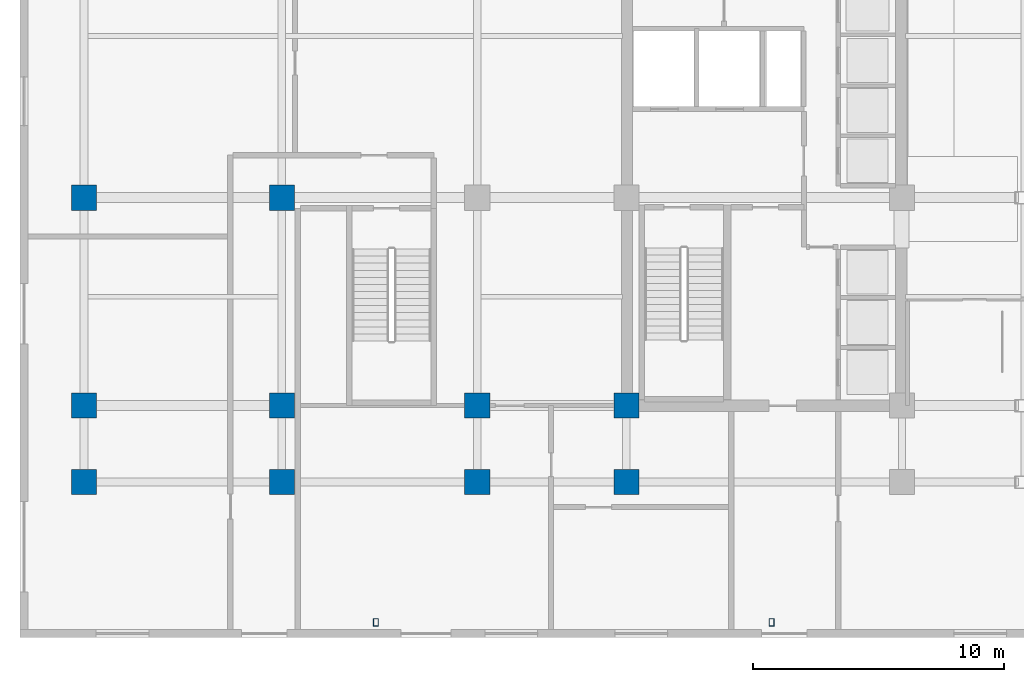
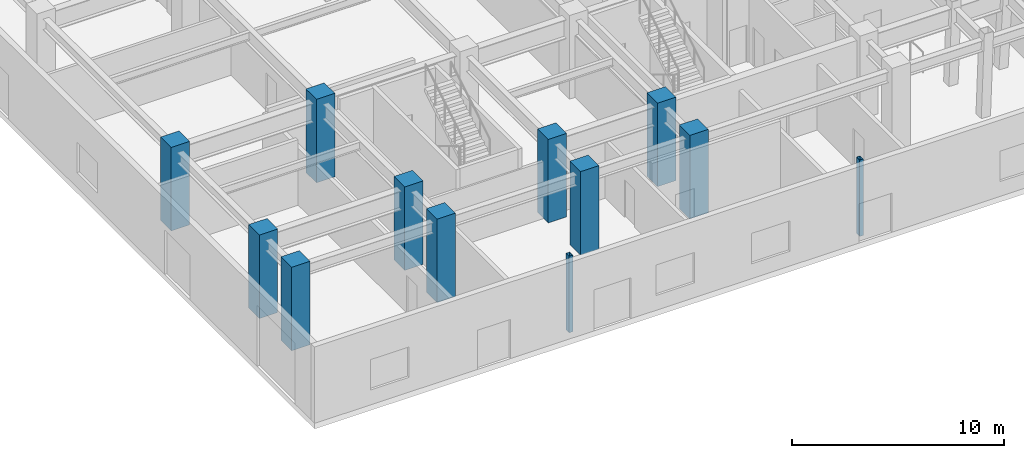
# One storey, part 1 of 13: 12 columns.
"""IFC4 building model written with IfcOpenShell, lengths in metres."""

from ifc_helpers import new_model, si_unit, direction, frame, origin, origin_2d, place, context, subcontext, project, spatial, rectangle, hollow_rectangle, extrude, material, material_profile, profile_set, type_object, element, save


model = new_model("IFC4")

# Units and contexts
model_context = context("Model", 3, precision=1e-05, world=origin(), true_north=direction((0.0, 1.0)))
body_context = subcontext(model_context, "Body", "Model", "MODEL_VIEW")
ifc_project = project(units=[si_unit("LENGTHUNIT", "METRE"), si_unit("AREAUNIT", "SQUARE_METRE"), si_unit("VOLUMEUNIT", "CUBIC_METRE"), si_unit("PLANEANGLEUNIT", "RADIAN"), si_unit("MASSUNIT", "GRAM", prefix="KILO")], contexts=[model_context])

# Site, building, storey
site_placement = place(None, origin())
site = spatial("IfcSite", under=ifc_project, at=site_placement, CompositionType="ELEMENT")
building_placement = place(site_placement, origin())
building = spatial("IfcBuilding", under=site, at=building_placement, Name="Ochreholt Gables", CompositionType="ELEMENT")
storey_placement = place(building_placement, origin())
storey = spatial("IfcBuildingStorey", under=building, at=storey_placement, Name="L00", CompositionType="ELEMENT", Elevation=0.0)

# Columns
ifc_material_1 = material(Name="Concrete 60 MPa", Category="concrete")
ifc_material_profile_1 = material_profile(ifc_material_1, rectangle(XDim=1.0, YDim=1.0, at=origin_2d()), Name="RC1000X1000")
ifc_profile_set_1 = profile_set([ifc_material_profile_1], Name="Concrete 60 MPa")
column_type_1 = type_object("IfcColumnType", Name="COL-RC1000-EXT", PredefinedType="COLUMN", material=ifc_profile_set_1)
for number, where, z_axis, x_axis, name in (
    (1, (2.550048828125, 6.199951171875, 0.0), (0.0, 0.0, 1.0), (1.0, 0.0, 0.0), "L00 Column W1Y1"),
    (2, (2.550048828125, 9.25, 0.0), (0.0, 0.0, 1.0), (1.0, 0.0, 0.0), "L00 Column W1Y2"),
    (3, (2.550048828125, 17.550048828125, 0.0), (0.0, 0.0, 1.0), (1.0, 0.0, 0.0), "L00 Column W1Y3"),
    (4, (10.449951171875, 6.199951171875, 0.0), (0.0, 0.0, 1.0), (1.0, 0.0, 0.0), "L00 Column W2Y1"),
    (5, (18.25, 6.199951171875, 0.0), (0.0, 0.0, 1.0), (1.0, 0.0, 0.0), "L00 Column W3Y1"),
    (6, (24.199951171875, 6.199951171875, 0.0), (0.0, 0.0, 1.0), (1.0, 0.0, 0.0), "L00 Column C1Y1"),
):
    element("IfcColumn", number, at=place(storey_placement, frame(where, z_axis=z_axis, x_axis=x_axis)), inside=storey, type_object=column_type_1, Name=name, PredefinedType="COLUMN", context=body_context, shape_type="SweptSolid", body=[
        extrude(rectangle(XDim=1.0, YDim=1.0, at=origin_2d()), origin(), (0.0, 0.0, 1.0), 4.800048828125),
    ])
ifc_material_profile_2 = material_profile(ifc_material_1, rectangle(XDim=1.0, YDim=1.0, at=origin_2d()), Name="RC1000X1000")
ifc_profile_set_2 = profile_set([ifc_material_profile_2], Name="Concrete 60 MPa")
column_type_2 = type_object("IfcColumnType", Name="COL-RC1000-INT", PredefinedType="COLUMN", material=ifc_profile_set_2)
for number, where, z_axis, x_axis, name in (
    (7, (10.449951171875, 9.25, 0.0), (0.0, 0.0, 1.0), (1.0, 0.0, 0.0), "L00 Column W2Y2"),
    (8, (10.449951171875, 17.550048828125, 0.0), (0.0, 0.0, 1.0), (1.0, 0.0, 0.0), "L00 Column W2Y3"),
    (9, (18.25, 9.25, 0.0), (0.0, 0.0, 1.0), (1.0, 0.0, 0.0), "L00 Column W3Y2"),
    (10, (24.199951171875, 9.25, 0.0), (0.0, 0.0, 1.0), (1.0, 0.0, 0.0), "L00 Column C1Y2"),
):
    element("IfcColumn", number, at=place(storey_placement, frame(where, z_axis=z_axis, x_axis=x_axis)), inside=storey, type_object=column_type_2, Name=name, PredefinedType="COLUMN", context=body_context, shape_type="SweptSolid", body=[
        extrude(rectangle(XDim=1.0, YDim=1.0, at=origin_2d()), origin(), (0.0, 0.0, 1.0), 4.800048828125),
    ])
ifc_material_2 = material(Name="Steel CSA G40.21 350W", Category="steel")
ifc_material_profile_3 = material_profile(ifc_material_2, hollow_rectangle(XDim=0.202880859375, YDim=0.304931640625, WallThickness=0.0126953125, at=origin_2d()), Name="HSS305X203X13")
ifc_profile_set_3 = profile_set([ifc_material_profile_3], Name="Steel CSA G40.21 350W")
column_type_3 = type_object("IfcColumnType", Name="PIL-HSS305-EXT", PredefinedType="PILASTER", material=ifc_profile_set_3)
for number, where, z_axis, x_axis, name in (
    (11, (14.199951171875, 0.60009765625, 0.0), (0.0, 0.0, 1.0), (1.0, 0.0, 0.0), "L00 Engaged Pilaster PL1"),
    (12, (30.0, 0.60009765625, 0.0), (0.0, 0.0, 1.0), (1.0, 0.0, 0.0), "L00 Engaged Pilaster PL2"),
):
    element("IfcColumn", number, at=place(storey_placement, frame(where, z_axis=z_axis, x_axis=x_axis)), inside=storey, type_object=column_type_3, Name=name, PredefinedType="PILASTER", context=body_context, shape_type="SweptSolid", body=[
        extrude(hollow_rectangle(XDim=0.202880859375, YDim=0.304931640625, WallThickness=0.0126953125, at=origin_2d()), origin(), (0.0, 0.0, 1.0), 4.389892578125),
    ])

save(model, "model.ifc")
